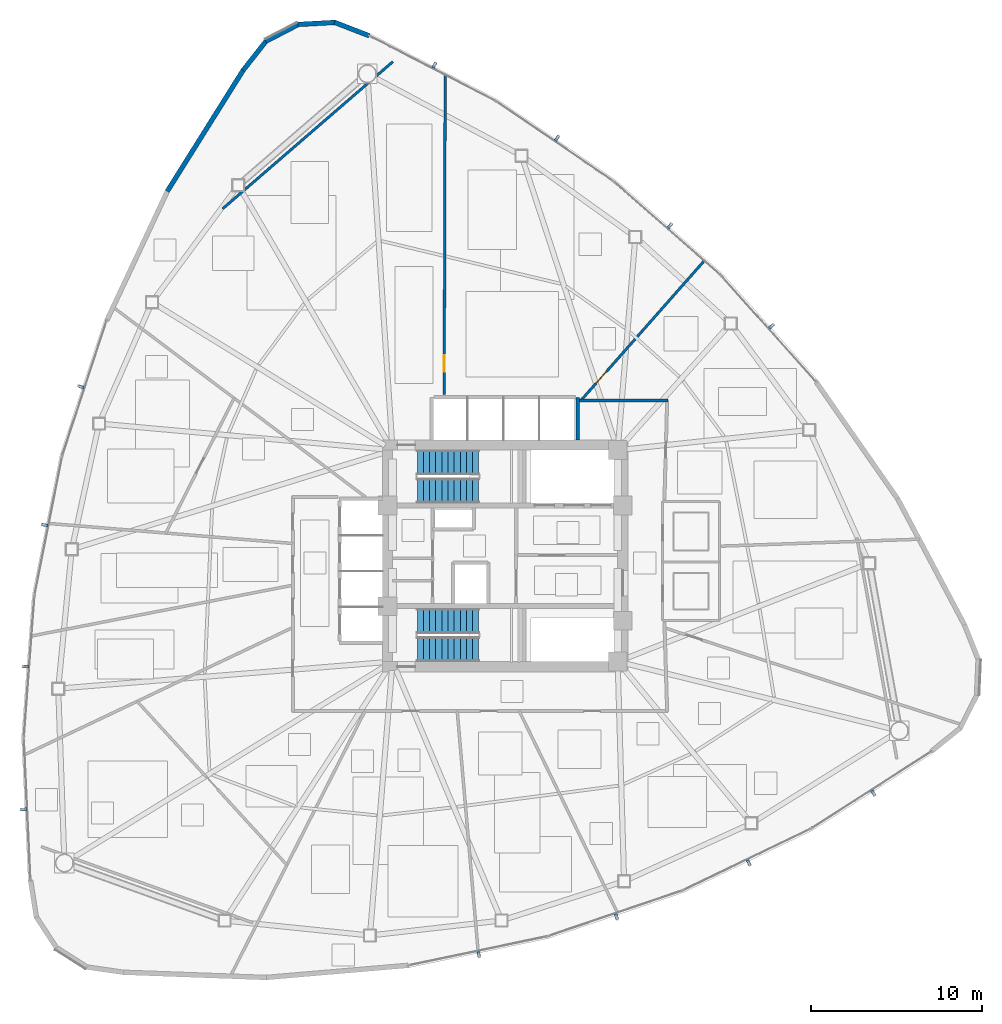
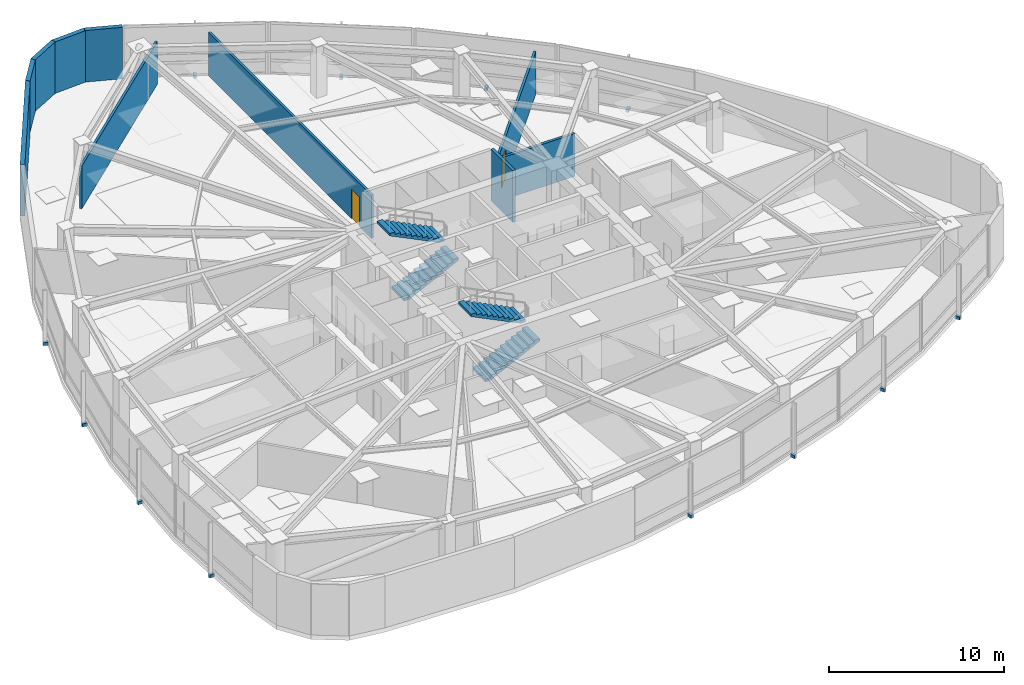
# One storey, part 13 of 17: 12 discrete accessories, 10 walls, 4 stair flights, 2 doors, 2 openings, 2 elements without a shape of their own.
"""IFC4 building model written with IfcOpenShell, lengths in metres."""

from ifc_helpers import new_model, si_unit, direction, frame, frame_2d, origin, origin_2d, place, context, subcontext, project, spatial, polyline, rectangle, outline, extrude, source, transform, mapped, material, layer, layer_set, type_object, type_shapes, element, fill, aggregate, save


model = new_model("IFC4")

# Units and contexts
model_context = context("Model", 3, precision=1e-05, world=origin(), true_north=direction((0.0, 1.0)))
body_context = subcontext(model_context, "Body", "Model", "MODEL_VIEW")
ifc_project = project(units=[si_unit("LENGTHUNIT", "METRE"), si_unit("AREAUNIT", "SQUARE_METRE"), si_unit("VOLUMEUNIT", "CUBIC_METRE"), si_unit("PLANEANGLEUNIT", "RADIAN"), si_unit("MASSUNIT", "GRAM", prefix="KILO")], contexts=[model_context])

# Site, building, storey
site_placement = place(None, origin())
site = spatial("IfcSite", under=ifc_project, at=site_placement, CompositionType="ELEMENT")
building_placement = place(site_placement, origin())
building = spatial("IfcBuilding", under=site, at=building_placement, Name="Tavelor Broadcast Tower", CompositionType="ELEMENT")
storey_placement = place(building_placement, frame((0.0, 0.0, 90.0)))
storey = spatial("IfcBuildingStorey", under=building, at=storey_placement, Name="L21", CompositionType="ELEMENT", Elevation=90.0)

# Walls
ifc_material_1 = material(Name="Calcium Silicate Fire Board 180 mm", Category="gypsum")
ifc_layer_1 = layer(ifc_material_1, 0.179931640625)
ifc_layer_set_1 = layer_set([ifc_layer_1], Name="Calcium Silicate Fire Board 180 mm")
wall_type_1 = type_object("IfcWallType", Name="Fire-Rated Corridor Partition Wall 180 mm", PredefinedType="PARTITIONING", material=ifc_layer_set_1)
wall_1_placement = place(storey_placement, frame((54.300048828125, 54.10009765625, 0.0), z_axis=(0.0, 0.0, 1.0), x_axis=(1.0, 0.0, 0.0)))
element("IfcWall", 1, at=wall_1_placement, inside=storey, type_object=wall_type_1, Name="L21 Corridor Compartment Wall 01", PredefinedType="PARTITIONING", context=body_context, shape_type="SweptSolid", body=[
    extrude(rectangle(XDim=5.25, YDim=0.179931640625, at=frame_2d((2.625, 0.0))), origin(), (0.0, 0.0, 1.0), 2.97509765625),
])
ifc_material_2 = material(Name="Precast Concrete C40/50", Category="concrete")
ifc_layer_2 = layer(ifc_material_2, 0.280029296875)
ifc_layer_set_2 = layer_set([ifc_layer_2], Name="Precast Concrete C40/50")
wall_type_2 = type_object("IfcWallType", Name="Insulated Precast Terracotta Facade Wall 280 mm", PredefinedType="STANDARD", material=ifc_layer_set_2)
wall_2_placement = place(storey_placement, frame((42.03564453125, 75.4970703125, 0.0), z_axis=(0.0, 0.0, 1.0), x_axis=(-0.93262030724, 0.360859200415, 0.0)))
element("IfcWall", 2, at=wall_2_placement, inside=storey, type_object=wall_type_2, Name="L21 Rounded Corner Structural Cladding Pier 01", PredefinedType="STANDARD", context=body_context, shape_type="SweptSolid", body=[
    extrude(rectangle(XDim=2.183349609375, YDim=0.280029296875, at=frame_2d((1.091796875, 0.0))), origin(), (0.0, 0.0, 1.0), 3.60009765625),
])
wall_3_placement = place(storey_placement, frame((40.028564453125, 76.2802734375, 0.0), z_axis=(0.0, 0.0, 1.0), x_axis=(-0.998487900845, -0.054971918882, 0.0)))
element("IfcWall", 3, at=wall_3_placement, inside=storey, type_object=wall_type_2, Name="L21 Rounded Corner Structural Cladding Pier 02", PredefinedType="STANDARD", context=body_context, shape_type="SweptSolid", body=[
    extrude(rectangle(XDim=2.171630859375, YDim=0.280029296875, at=frame_2d((1.0859375, 0.0))), origin(), (0.0, 0.0, 1.0), 3.60009765625),
])
wall_4_placement = place(storey_placement, frame((37.888427734375, 76.168701171875, 0.0), z_axis=(0.0, 0.0, 1.0), x_axis=(-0.887395266188, -0.461009372515, 0.0)))
element("IfcWall", 4, at=wall_4_placement, inside=storey, type_object=wall_type_2, Name="L21 Rounded Corner Structural Cladding Pier 03", PredefinedType="STANDARD", context=body_context, shape_type="SweptSolid", body=[
    extrude(rectangle(XDim=2.171875, YDim=0.280029296875, at=frame_2d((1.0859375, 0.0))), origin(), (0.0, 0.0, 1.0), 3.60009765625),
])
wall_5_placement = place(storey_placement, frame((35.98388671875, 75.186279296875, 0.0), z_axis=(0.0, 0.0, 1.0), x_axis=(-0.61908855877, -0.78532118041, 0.0)))
element("IfcWall", 5, at=wall_5_placement, inside=storey, type_object=wall_type_2, Name="L21 Rounded Corner Structural Cladding Pier 04", PredefinedType="STANDARD", context=body_context, shape_type="SweptSolid", body=[
    extrude(rectangle(XDim=2.194091796875, YDim=0.280029296875, at=frame_2d((1.09716796875, 0.0))), origin(), (0.0, 0.0, 1.0), 3.60009765625),
])
wall_6_placement = place(storey_placement, frame((34.642822265625, 73.48779296875, 0.0), z_axis=(0.0, 0.0, 1.0), x_axis=(-0.531031109404, -0.847352323916, 0.0)))
element("IfcWall", 6, at=wall_6_placement, inside=storey, type_object=wall_type_2, Name="L21 Rounded Corner Structural Cladding Pier 05", PredefinedType="STANDARD", context=body_context, shape_type="SweptSolid", body=[
    extrude(rectangle(XDim=8.39501953125, YDim=0.280029296875, at=frame_2d((4.197509765625, 0.0))), origin(), (0.0, 0.0, 1.0), 3.60009765625),
])
ifc_material_3 = material(Name="Gypsum Acoustic Plasterboard 150 mm", Category="gypsum")
ifc_layer_3 = layer(ifc_material_3, 0.14990234375)
ifc_layer_set_3 = layer_set([ifc_layer_3], Name="Gypsum Acoustic Plasterboard 150 mm")
wall_type_3 = type_object("IfcWallType", Name="Interior Acoustic Partition Wall 150 mm", PredefinedType="PARTITIONING", material=ifc_layer_set_3)
wall_7_placement = place(storey_placement, frame((43.42138671875, 73.9794921875, 0.0), z_axis=(0.0, 0.0, 1.0), x_axis=(-0.756659135409, -0.653809569218, 0.0)))
element("IfcWall", 7, at=wall_7_placement, inside=storey, type_object=wall_type_3, Name="L21 Corner Tube Brace Furring Wall 1", PredefinedType="PARTITIONING", context=body_context, shape_type="SweptSolid", body=[
    extrude(rectangle(XDim=13.200439453125, YDim=0.14990234375, at=frame_2d((6.60009765625, 0.0))), origin(), (0.0, 0.0, 1.0), 2.97509765625),
])

# Wall, opening, door
wall_8_placement = place(storey_placement, frame((54.434814453125, 54.10009765625, 0.0), z_axis=(0.0, 0.0, 1.0), x_axis=(0.661876683794, 0.749612736985, 0.0)))
wall_8 = element("IfcWall", 8, at=wall_8_placement, inside=storey, type_object=wall_type_3, Name="L21 Radial Compartment Wall 08", PredefinedType="PARTITIONING", context=body_context, shape_type="SweptSolid", body=[
    extrude(rectangle(XDim=10.95263671875, YDim=0.14990234375, at=frame_2d((5.476318359375, 0.0))), origin(), (0.0, 0.0, 1.0), 2.97509765625),
])
opening_1_placement = place(wall_8_placement, frame((1.35009765625, 0.0, 0.0)))
opening_1 = element("IfcOpeningElement", 9, at=opening_1_placement, cuts=wall_8, Name="Opening DR18", PredefinedType="OPENING", context=body_context, shape_type="SweptSolid", body=[
    extrude(rectangle(XDim=0.949951171875, YDim=2.050048828125, at=frame_2d((0.47509765625, 1.02490234375))), frame((0.0, 0.0849609375, 0.0), z_axis=(0.0, -1.0, 0.0), x_axis=(1.0, 0.0, 0.0)), (0.0, 0.0, 1.0), 0.169921875),
])
ifc_material_4 = material(Name="Timber Solid Core Hardwood", Category="wood")
door_type = type_object("IfcDoorType", Name="Corridor Rated Compartment Door 950x2050", OperationType="NOTDEFINED", PredefinedType="DOOR", material=ifc_material_4)
door_1_placement = place(opening_1_placement, origin())
door_1 = element("IfcDoor", 10, at=door_1_placement, inside=storey, type_object=door_type, Name="L21 Suite Connecting Door 8", OperationType="SINGLE_SWING_RIGHT", OverallHeight=2.050048828125, OverallWidth=0.949951171875, PredefinedType="DOOR", context=body_context, shape_type="SweptSolid", body=[
    extrude(rectangle(XDim=0.949951171875, YDim=2.050048828125, at=frame_2d((0.47509765625, 1.02490234375))), frame((0.0, 0.02490234375, 0.0), z_axis=(0.0, -1.0, 0.0), x_axis=(1.0, 0.0, 0.0)), (0.0, 0.0, 1.0), 0.050048828125),
])
fill(opening_1, door_1)

wall_9_placement = place(storey_placement, frame((46.428466796875, 54.449951171875, 0.0), z_axis=(0.0, 0.0, 1.0), x_axis=(0.002993297192, 0.999995520076, 0.0)))
wall_9 = element("IfcWall", 11, at=wall_9_placement, inside=storey, type_object=wall_type_3, Name="L21 Radial Compartment Wall 09", PredefinedType="PARTITIONING", context=body_context, shape_type="SweptSolid", body=[
    extrude(rectangle(XDim=18.75927734375, YDim=0.14990234375, at=frame_2d((9.379638671875, 0.0))), origin(), (0.0, 0.0, 1.0), 3.02490234375),
])
opening_2_placement = place(wall_9_placement, frame((1.35009765625, 0.0, 0.0)))
opening_2 = element("IfcOpeningElement", 12, at=opening_2_placement, cuts=wall_9, Name="Opening DR18", PredefinedType="OPENING", context=body_context, shape_type="SweptSolid", body=[
    extrude(rectangle(XDim=0.949951171875, YDim=2.050048828125, at=frame_2d((0.47509765625, 1.02490234375))), frame((0.0, 0.0849609375, 0.0), z_axis=(0.0, -1.0, 0.0), x_axis=(1.0, 0.0, 0.0)), (0.0, 0.0, 1.0), 0.169921875),
])
door_2_placement = place(opening_2_placement, origin())
door_2 = element("IfcDoor", 13, at=door_2_placement, inside=storey, type_object=door_type, Name="L21 Suite Connecting Door 7", OperationType="SINGLE_SWING_LEFT", OverallHeight=2.050048828125, OverallWidth=0.949951171875, PredefinedType="DOOR", context=body_context, shape_type="SweptSolid", body=[
    extrude(rectangle(XDim=0.949951171875, YDim=2.050048828125, at=frame_2d((0.47509765625, 1.02490234375))), frame((0.0, 0.02490234375, 0.0), z_axis=(0.0, -1.0, 0.0), x_axis=(1.0, 0.0, 0.0)), (0.0, 0.0, 1.0), 0.050048828125),
])
fill(opening_2, door_2)

# Wall
ifc_material_5 = material(Name="Concrete Blockwork 200 mm", Category="masonry")
ifc_layer_4 = layer(ifc_material_5, 0.199951171875)
ifc_layer_set_4 = layer_set([ifc_layer_4], Name="Concrete Blockwork 200 mm")
wall_type_4 = type_object("IfcWallType", Name="Lift and Riser Shaft Enclosure Wall 200 mm", PredefinedType="PARTITIONING", material=ifc_layer_set_4)
wall_10_placement = place(storey_placement, frame((54.25, 51.800048828125, 0.0), z_axis=(0.0, 0.0, 1.0), x_axis=(0.0, 1.0, 0.0)))
element("IfcWall", 14, at=wall_10_placement, inside=storey, type_object=wall_type_4, Name="L21 High-Rise Lift Shaft East Wall", PredefinedType="PARTITIONING", context=body_context, shape_type="SweptSolid", body=[
    extrude(rectangle(XDim=2.5, YDim=0.199951171875, at=frame_2d((1.25, 0.0))), origin(), (0.0, 0.0, 1.0), 3.60009765625),
])

# Stair, stair flights
ifc_material_6 = material(Name="Concrete C40/50", Category="concrete")
stair_type = type_object("IfcStairType", Name="Reinforced Concrete Protected Dogleg Stair 1450 mm", PredefinedType="HALF_TURN_STAIR", material=ifc_material_6)
stair_1_placement = place(storey_placement, origin())
stair_1 = element("IfcStair", 15, at=stair_1_placement, inside=storey, type_object=stair_type, Name="L21 Protected Core Exit Stair ST1", PredefinedType="HALF_TURN_STAIR")
stair_flight_type = type_object("IfcStairFlightType", Name="Reinforced Concrete Stair Flight 1450 mm", PredefinedType="STRAIGHT", material=ifc_material_6)
stair_flight_1_placement = place(storey_placement, frame((44.85009765625, 48.824951171875, 0.0), z_axis=(0.0, 0.0, 1.0), x_axis=(1.0, 0.0, 0.0)))
stair_flight_1 = element("IfcStairFlight", 16, at=stair_flight_1_placement, type_object=stair_flight_type, Name="ST1 flight 1", NumberOfRisers=11, NumberOfTreads=10, PredefinedType="STRAIGHT", RiserHeight=0.177272727, TreadLength=0.36, context=body_context, shape_type="SweptSolid", body=[
    extrude(outline(polyline([(0.0, 0.0), (0.0, 0.17724609375), (0.360107421875, 0.17724609375), (0.360107421875, 0.3544921875), (0.719970703125, 0.3544921875), (0.719970703125, 0.53173828125), (1.080078125, 0.53173828125), (1.080078125, 0.708984375), (1.43994140625, 0.708984375), (1.43994140625, 0.886474609375), (1.800048828125, 0.886474609375), (1.800048828125, 1.063720703125), (2.159912109375, 1.063720703125), (2.159912109375, 1.240966796875), (2.52001953125, 1.240966796875), (2.52001953125, 1.418212890625), (2.8798828125, 1.418212890625), (2.8798828125, 1.595458984375), (3.239990234375, 1.595458984375), (3.239990234375, 1.772705078125), (3.60009765625, 1.772705078125), (3.60009765625, 1.949951171875), (3.60009765625, 1.605712890625), (0.33935546875, 0.0), (0.0, 0.0)])), frame((0.0, 0.72509765625, 0.0), z_axis=(0.0, -1.0, 0.0), x_axis=(1.0, 0.0, 0.0)), (0.0, 0.0, 1.0), 1.449951171875),
])
stair_flight_2_placement = place(storey_placement, frame((48.449951171875, 50.47509765625, 1.949951171875), z_axis=(0.0, 0.0, 1.0), x_axis=(-1.0, 0.0, 0.0)))
stair_flight_2 = element("IfcStairFlight", 17, at=stair_flight_2_placement, type_object=stair_flight_type, Name="ST1 flight 2", NumberOfRisers=11, NumberOfTreads=10, PredefinedType="STRAIGHT", RiserHeight=0.177272727, TreadLength=0.36, context=body_context, shape_type="SweptSolid", body=[
    extrude(outline(polyline([(0.0, 0.0), (0.0, 0.17724609375), (0.360107421875, 0.17724609375), (0.360107421875, 0.3544921875), (0.719970703125, 0.3544921875), (0.719970703125, 0.53173828125), (1.080078125, 0.53173828125), (1.080078125, 0.708984375), (1.43994140625, 0.708984375), (1.43994140625, 0.886474609375), (1.800048828125, 0.886474609375), (1.800048828125, 1.063720703125), (2.159912109375, 1.063720703125), (2.159912109375, 1.240966796875), (2.52001953125, 1.240966796875), (2.52001953125, 1.418212890625), (2.8798828125, 1.418212890625), (2.8798828125, 1.595458984375), (3.239990234375, 1.595458984375), (3.239990234375, 1.772705078125), (3.60009765625, 1.772705078125), (3.60009765625, 1.949951171875), (3.60009765625, 1.605712890625), (0.33935546875, 0.0), (0.0, 0.0)])), frame((0.0, 0.72509765625, 0.0), z_axis=(0.0, -1.0, 0.0), x_axis=(1.0, 0.0, 0.0)), (0.0, 0.0, 1.0), 1.449951171875),
])
aggregate(stair_1, [stair_flight_1, stair_flight_2])

stair_2_placement = place(storey_placement, origin())
stair_2 = element("IfcStair", 18, at=stair_2_placement, inside=storey, type_object=stair_type, Name="L21 Protected Core Exit Stair ST2", PredefinedType="HALF_TURN_STAIR")
stair_flight_3_placement = place(storey_placement, frame((44.85009765625, 39.52490234375, 0.0), z_axis=(0.0, 0.0, 1.0), x_axis=(1.0, 0.0, 0.0)))
stair_flight_3 = element("IfcStairFlight", 19, at=stair_flight_3_placement, type_object=stair_flight_type, Name="ST2 flight 1", NumberOfRisers=11, NumberOfTreads=10, PredefinedType="STRAIGHT", RiserHeight=0.177272727, TreadLength=0.36, context=body_context, shape_type="SweptSolid", body=[
    extrude(outline(polyline([(0.0, 0.0), (0.0, 0.17724609375), (0.360107421875, 0.17724609375), (0.360107421875, 0.3544921875), (0.719970703125, 0.3544921875), (0.719970703125, 0.53173828125), (1.080078125, 0.53173828125), (1.080078125, 0.708984375), (1.43994140625, 0.708984375), (1.43994140625, 0.886474609375), (1.800048828125, 0.886474609375), (1.800048828125, 1.063720703125), (2.159912109375, 1.063720703125), (2.159912109375, 1.240966796875), (2.52001953125, 1.240966796875), (2.52001953125, 1.418212890625), (2.8798828125, 1.418212890625), (2.8798828125, 1.595458984375), (3.239990234375, 1.595458984375), (3.239990234375, 1.772705078125), (3.60009765625, 1.772705078125), (3.60009765625, 1.949951171875), (3.60009765625, 1.605712890625), (0.33935546875, 0.0), (0.0, 0.0)])), frame((0.0, 0.72509765625, 0.0), z_axis=(0.0, -1.0, 0.0), x_axis=(1.0, 0.0, 0.0)), (0.0, 0.0, 1.0), 1.449951171875),
])
stair_flight_4_placement = place(storey_placement, frame((48.449951171875, 41.175048828125, 1.949951171875), z_axis=(0.0, 0.0, 1.0), x_axis=(-1.0, 0.0, 0.0)))
stair_flight_4 = element("IfcStairFlight", 20, at=stair_flight_4_placement, type_object=stair_flight_type, Name="ST2 flight 2", NumberOfRisers=11, NumberOfTreads=10, PredefinedType="STRAIGHT", RiserHeight=0.177272727, TreadLength=0.36, context=body_context, shape_type="SweptSolid", body=[
    extrude(outline(polyline([(0.0, 0.0), (0.0, 0.17724609375), (0.360107421875, 0.17724609375), (0.360107421875, 0.3544921875), (0.719970703125, 0.3544921875), (0.719970703125, 0.53173828125), (1.080078125, 0.53173828125), (1.080078125, 0.708984375), (1.43994140625, 0.708984375), (1.43994140625, 0.886474609375), (1.800048828125, 0.886474609375), (1.800048828125, 1.063720703125), (2.159912109375, 1.063720703125), (2.159912109375, 1.240966796875), (2.52001953125, 1.240966796875), (2.52001953125, 1.418212890625), (2.8798828125, 1.418212890625), (2.8798828125, 1.595458984375), (3.239990234375, 1.595458984375), (3.239990234375, 1.772705078125), (3.60009765625, 1.772705078125), (3.60009765625, 1.949951171875), (3.60009765625, 1.605712890625), (0.33935546875, 0.0), (0.0, 0.0)])), frame((0.0, 0.72509765625, 0.0), z_axis=(0.0, -1.0, 0.0), x_axis=(1.0, 0.0, 0.0)), (0.0, 0.0, 1.0), 1.449951171875),
])
aggregate(stair_2, [stair_flight_3, stair_flight_4])

# Discrete accessories
ifc_material_7 = material(Name="Steel S355", Category="steel")
discrete_accessory_type = type_object("IfcDiscreteAccessoryType", Name="Stainless Baguette Outrigger Support Bracket 260x180", PredefinedType="BRACKET", material=ifc_material_7)
shared_shape = source(origin(), body_context, "Body", "SweptSolid", [
    extrude(rectangle(XDim=0.179931640625, YDim=0.340087890625, at=origin_2d()), origin(), (0.0, 0.0, 1.0), 0.216064453125),
])
type_shapes(discrete_accessory_type, [shared_shape])
for number, where, z_axis, x_axis, name in (
    (21, (25.127685546875, 54.909912109375, -0.2578125), (0.0, 0.0, 1.0), (-0.312003296688, -0.950081019101, 0.0), "L21 Baguette Outrigger Bracket 205"),
    (22, (23.00244140625, 46.808837890625, -0.2578125), (0.0, 0.0, 1.0), (-0.194576757325, -0.980887295008, 0.0), "L21 Baguette Outrigger Bracket 206"),
    (23, (21.873291015625, 38.51025390625, -0.2578125), (0.0, 0.0, 1.0), (-0.074456591657, -0.997224255601, 0.0), "L21 Baguette Outrigger Bracket 207"),
    (24, (21.75634765625, 30.135986328125, -0.2578125), (0.0, 0.0, 1.0), (0.046757769503, -0.998906257359, 0.0), "L21 Baguette Outrigger Bracket 208"),
    (25, (48.453857421875, 21.622802734375, -0.2578125), (0.0, 0.0, 1.0), (0.978795946539, 0.204837728554, 0.0), "L21 Baguette Outrigger Bracket 209"),
    (26, (56.531982421875, 23.832763671875, -0.2578125), (0.0, 0.0, 1.0), (0.946817868267, 0.321769986684, 0.0), "L21 Baguette Outrigger Bracket 210"),
    (27, (64.28369140625, 27.004150390625, -0.2578125), (0.0, 0.0, 1.0), (0.900849834449, 0.434130827946, 0.0), "L21 Baguette Outrigger Bracket 211"),
    (28, (71.594482421875, 31.090087890625, -0.2578125), (0.0, 0.0, 1.0), (0.841699310121, 0.539946544894, 0.0), "L21 Baguette Outrigger Bracket 212"),
    (29, (65.618408203125, 58.46728515625, -0.2578125), (0.0, 0.0, 1.0), (-0.666922709185, 0.745126901925, 0.0), "L21 Baguette Outrigger Bracket 213"),
    (30, (59.665283203125, 64.3583984375, -0.2578125), (0.0, 0.0, 1.0), (-0.752184937064, 0.658952062334, 0.0), "L21 Baguette Outrigger Bracket 214"),
    (31, (53.043212890625, 69.485595703125, -0.2578125), (0.0, 0.0, 1.0), (-0.826393242792, 0.563093427655, 0.0), "L21 Baguette Outrigger Bracket 215"),
    (32, (45.84912109375, 73.77392578125, -0.2578125), (0.0, 0.0, 1.0), (-0.888457079624, 0.458959712465, 0.0), "L21 Baguette Outrigger Bracket 216"),
):
    element("IfcDiscreteAccessory", number, at=place(storey_placement, frame(where, z_axis=z_axis, x_axis=x_axis)), inside=storey, type_object=discrete_accessory_type, Name=name, PredefinedType="BRACKET", context=body_context, shape_type="MappedRepresentation", body=[
        mapped(shared_shape, transform((0.0, 0.0, 0.0), scale=1.0)),
    ])

save(model, "model.ifc")
